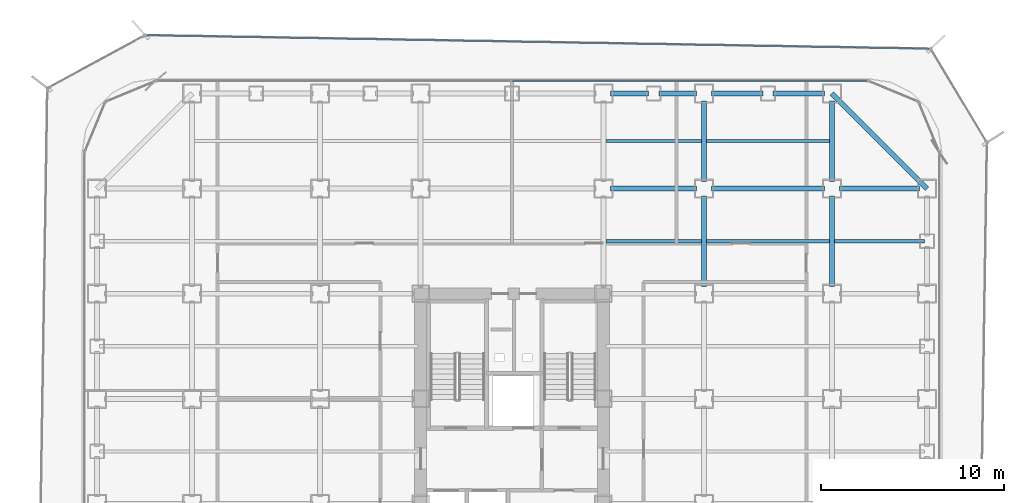
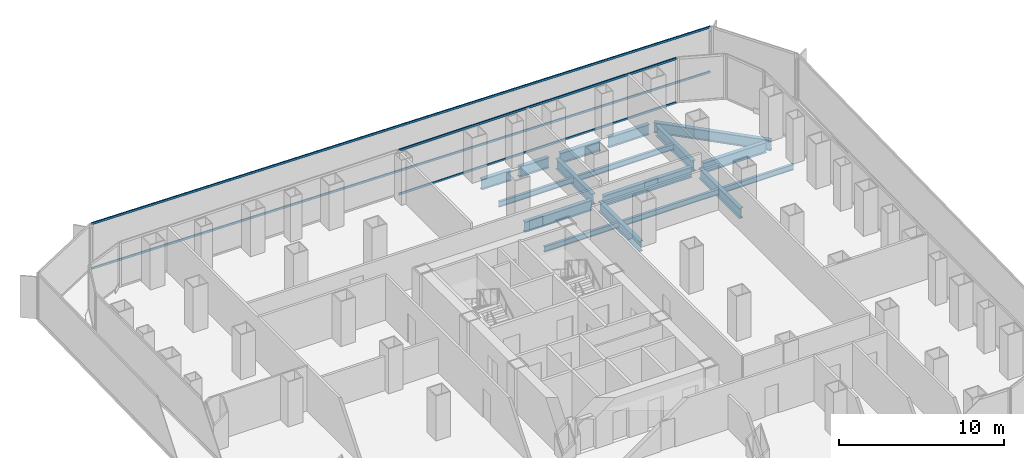
# One storey, part 14 of 21: 17 beams, 4 members, 2 elements without a shape of their own.
"""IFC4 building model written with IfcOpenShell, lengths in metres."""

import ifcopenshell
import ifcopenshell.guid

model = None  # the IFC model being written
_history = None  # IfcOwnerHistory: only IFC2X3 demands one
_inside = {}  # id of a spatial element -> (the spatial element, [elements in it])
_under = {}  # id of a project, library or spatial element -> (it, [spatial elements below it])
_declared = {}  # id of a project -> (the project, [libraries it declares])
_typed = {}  # id of a type object -> (the type object, [elements of that type])
_made_of = {}  # id of a material, layer set ... -> (it, [elements and type objects made of it])


def new_model(schema):
    """Start an empty IFC model of exactly this schema.

    Asked for "IFC4X3", IfcOpenShell would pick the latest addendum, in which some entities
    have other attributes; the version numbers below select the first issue.
    IFC2X3 requires an IfcOwnerHistory on every rooted entity: one is made here for all.
    """
    global model, _history
    if schema == "IFC4X3":
        model = ifcopenshell.file(schema_version=(4, 3, 0, 0))
    else:
        model = ifcopenshell.file(schema=schema)
    _inside.clear()
    _under.clear()
    _declared.clear()
    _typed.clear()
    _made_of.clear()
    _history = None
    if model.schema == "IFC2X3":
        org = make("IfcOrganization", Name="unknown")
        user = make(
            "IfcPersonAndOrganization",
            ThePerson=make("IfcPerson", FamilyName="unknown"),
            TheOrganization=org,
        )
        app = make(
            "IfcApplication",
            ApplicationDeveloper=org,
            Version="unknown",
            ApplicationFullName="unknown",
            ApplicationIdentifier="unknown",
        )
        _history = make(
            "IfcOwnerHistory",
            OwningUser=user,
            OwningApplication=app,
            ChangeAction="ADDED",
            CreationDate=0,
        )
    return model


def make(cls, **values):
    """One entity of the class cls with the attributes given. An attribute that is None is left unset."""
    return model.create_entity(
        cls, **{name: value for name, value in values.items() if value is not None}
    )


def rooted(cls, **values):
    """An entity with a GlobalId (a new one), such as an element, a storey or a relation."""
    return make(cls, GlobalId=ifcopenshell.guid.new(), OwnerHistory=_history, **values)


def si_unit(unit_type, name, prefix=None):
    """IfcSIUnit, for example si_unit("LENGTHUNIT", "METRE", prefix="MILLI")."""
    return make("IfcSIUnit", UnitType=unit_type, Prefix=prefix, Name=name)


def assignment(units):
    """IfcUnitAssignment: the units of a project."""
    return None if units is None else make("IfcUnitAssignment", Units=units)


def point(xyz):
    """IfcCartesianPoint."""
    return None if xyz is None else make("IfcCartesianPoint", Coordinates=xyz)


def direction(xyz):
    """IfcDirection."""
    return None if xyz is None else make("IfcDirection", DirectionRatios=xyz)


def frame(location, z_axis=None, x_axis=None):
    """IfcAxis2Placement3D, a coordinate frame: its origin and axes. An axis left out is left unset."""
    return make(
        "IfcAxis2Placement3D",
        Location=point(location),
        Axis=direction(z_axis),
        RefDirection=direction(x_axis),
    )


def frame_2d(location, x_axis=None):
    """IfcAxis2Placement2D, a coordinate frame in the plane: its origin and x axis."""
    return make(
        "IfcAxis2Placement2D", Location=point(location), RefDirection=direction(x_axis)
    )


def origin():
    """The frame at (0, 0, 0) with its axes left unset."""
    return frame((0.0, 0.0, 0.0))


def origin_2d():
    """The frame at (0, 0) in the plane with its x axis left unset."""
    return frame_2d((0.0, 0.0))


def place(relative_to, where):
    """IfcLocalPlacement: puts the frame where relative to a parent placement (None: the world)."""
    return make(
        "IfcLocalPlacement", PlacementRelTo=relative_to, RelativePlacement=where
    )


def context(
    kind, dimensions, precision=None, world=None, true_north=None, identifier=None
):
    """IfcGeometricRepresentationContext, for example the 3D "Model" context."""
    return make(
        "IfcGeometricRepresentationContext",
        ContextIdentifier=identifier,
        ContextType=kind,
        CoordinateSpaceDimension=dimensions,
        Precision=precision,
        WorldCoordinateSystem=world,
        TrueNorth=true_north,
    )


def subcontext(parent, identifier, kind, view, scale=None):
    """IfcGeometricRepresentationSubContext, for example "Body" below "Model"."""
    return make(
        "IfcGeometricRepresentationSubContext",
        ContextIdentifier=identifier,
        ContextType=kind,
        ParentContext=parent,
        TargetScale=scale,
        TargetView=view,
    )


def project(units=None, contexts=None):
    """IfcProject with its units and contexts."""
    return rooted(
        "IfcProject",
        Name="project",
        RepresentationContexts=contexts,
        UnitsInContext=assignment(units),
    )


def spatial(cls, under=None, at=None, **own):
    """A site, building, storey or space (cls), placed at a placement, below another one or the project."""
    s = rooted(cls, ObjectPlacement=at, **own)
    if under is not None:
        _under.setdefault(under.id(), (under, []))[1].append(s)
    return s


def profile(cls, at=None, kind="AREA", **sizes):
    """A parametric profile (cls). Its sizes go by their IFC names, for example OverallWidth=200.0."""
    return make(cls, ProfileType=kind, Position=at, **sizes)


def hollow_rectangle(**sizes):
    """IfcRectangleHollowProfileDef."""
    return profile("IfcRectangleHollowProfileDef", **sizes)


def i_section(**sizes):
    """IfcIShapeProfileDef."""
    return profile("IfcIShapeProfileDef", **sizes)


def extrude(swept, where, along, depth):
    """IfcExtrudedAreaSolid: the profile swept, set in the frame where, extruded along a direction by depth."""
    return make(
        "IfcExtrudedAreaSolid",
        SweptArea=swept,
        Position=where,
        ExtrudedDirection=direction(along),
        Depth=depth,
    )


def shape(context_of_items, identifier, shape_type, items):
    """IfcShapeRepresentation: the items that make up one representation, for example the "Body"."""
    return make(
        "IfcShapeRepresentation",
        ContextOfItems=context_of_items,
        RepresentationIdentifier=identifier,
        RepresentationType=shape_type,
        Items=items,
    )


def source(mapping_origin, context_of_items, identifier, shape_type, items):
    """IfcRepresentationMap: a shape defined once, which mapped items show again and again."""
    return make(
        "IfcRepresentationMap",
        MappingOrigin=mapping_origin,
        MappedRepresentation=shape(context_of_items, identifier, shape_type, items),
    )


def transform(
    local_origin,
    x_axis=None,
    y_axis=None,
    z_axis=None,
    scale=None,
    scale2=None,
    scale3=None,
    uniform=True,
):
    """IfcCartesianTransformationOperator3D, or its non-uniform kind. x_axis, y_axis, z_axis: its Axis1, 2, 3."""
    if uniform:
        return make(
            "IfcCartesianTransformationOperator3D",
            Axis1=direction(x_axis),
            Axis2=direction(y_axis),
            LocalOrigin=point(local_origin),
            Scale=scale,
            Axis3=direction(z_axis),
        )
    return make(
        "IfcCartesianTransformationOperator3DnonUniform",
        Axis1=direction(x_axis),
        Axis2=direction(y_axis),
        LocalOrigin=point(local_origin),
        Scale=scale,
        Axis3=direction(z_axis),
        Scale2=scale2,
        Scale3=scale3,
    )


def mapped(mapping_source, mapping_target):
    """IfcMappedItem: shows the shape of a source again, moved by a transform."""
    return make(
        "IfcMappedItem", MappingSource=mapping_source, MappingTarget=mapping_target
    )


def material(Name=None, Category=None):
    """IfcMaterial."""
    return make("IfcMaterial", Name=Name, Category=Category)


def layer(
    of_material, thickness, ventilated=None, Name=None, Category=None, Priority=None
):
    """IfcMaterialLayer: one layer of a wall or slab, of a material (None: an air gap)."""
    return make(
        "IfcMaterialLayer",
        Material=of_material,
        LayerThickness=thickness,
        IsVentilated=ventilated,
        Name=Name,
        Category=Category,
        Priority=Priority,
    )


def layer_set(layers, Name=None):
    """IfcMaterialLayerSet."""
    return make("IfcMaterialLayerSet", MaterialLayers=layers, LayerSetName=Name)


def material_profile(
    of_material, cross_section, Name=None, Category=None, Priority=None
):
    """IfcMaterialProfile: a cross section and its material."""
    return make(
        "IfcMaterialProfile",
        Name=Name,
        Material=of_material,
        Profile=cross_section,
        Priority=Priority,
        Category=Category,
    )


def profile_set(profiles, Name=None, composite=None):
    """IfcMaterialProfileSet."""
    return make(
        "IfcMaterialProfileSet",
        Name=Name,
        MaterialProfiles=profiles,
        CompositeProfile=composite,
    )


def made_of(thing, what):
    """Note that an element or type object is made of a material, layer set ...; save() writes the relation."""
    if what is not None:
        _made_of.setdefault(what.id(), (what, []))[1].append(thing)
    return thing


def type_object(cls, material=None, **own):
    """A type object (cls), such as IfcWallType, which elements share."""
    return made_of(rooted(cls, **own), material)


def element(
    cls,
    number,
    at=None,
    inside=None,
    cuts=None,
    type_object=None,
    material=None,
    context=None,
    identifier="Body",
    shape_type=None,
    held_by="IfcProductDefinitionShape",
    body=None,
    shapes=None,
    **own,
):
    """One element of the class cls, such as IfcWall. Its Tag is "e" and its number.

    at: its placement. inside: the storey or other place that contains it. cuts: it is an
    opening in that element (IfcRelVoidsElement). A single representation is given by context,
    identifier, shape_type and body (its items); several are given by shapes. held_by: the class
    of the entity that holds the representations. save() writes the other relations.
    """
    e = rooted(cls, Tag="e%d" % number, ObjectPlacement=at, **own)
    if body is not None:
        shapes = [shape(context, identifier, shape_type, body)]
    if shapes is not None:
        e.Representation = make(held_by, Representations=shapes)
    if inside is not None:
        _inside.setdefault(inside.id(), (inside, []))[1].append(e)
    if cuts is not None:
        rooted(
            "IfcRelVoidsElement", RelatingBuildingElement=cuts, RelatedOpeningElement=e
        )
    if type_object is not None:
        _typed.setdefault(type_object.id(), (type_object, []))[1].append(e)
    return made_of(e, material)


def aggregate(whole, parts):
    """IfcRelAggregates: a whole, such as a stair, and the parts it consists of."""
    return rooted("IfcRelAggregates", RelatingObject=whole, RelatedObjects=parts)


def save(model, path):
    """Write the relations noted so far, then the file.

    IfcRelAggregates (storeys below a building ...), IfcRelContainedInSpatialStructure (elements
    in a storey), IfcRelDefinesByType, IfcRelAssociatesMaterial and IfcRelDeclares: one each for
    every whole, place, type object, material and project.
    """
    for whole, parts in _under.values():
        aggregate(whole, parts)
    for where, things in _inside.values():
        rooted(
            "IfcRelContainedInSpatialStructure",
            RelatedElements=things,
            RelatingStructure=where,
        )
    for kind, things in _typed.values():
        rooted("IfcRelDefinesByType", RelatedObjects=things, RelatingType=kind)
    for what, things in _made_of.values():
        rooted("IfcRelAssociatesMaterial", RelatedObjects=things, RelatingMaterial=what)
    for by, libraries in _declared.values():
        rooted("IfcRelDeclares", RelatingContext=by, RelatedDefinitions=libraries)
    model.write(path)


model = new_model("IFC4")

# Units and contexts
model_context = context("Model", 3, precision=1e-05, world=origin(), true_north=direction((0.0, 1.0)))
body_context = subcontext(model_context, "Body", "Model", "MODEL_VIEW")
ifc_project = project(units=[si_unit("LENGTHUNIT", "METRE"), si_unit("AREAUNIT", "SQUARE_METRE"), si_unit("VOLUMEUNIT", "CUBIC_METRE"), si_unit("PLANEANGLEUNIT", "RADIAN"), si_unit("MASSUNIT", "GRAM", prefix="KILO")], contexts=[model_context])

# Site, building, storey
site_placement = place(None, origin())
site = spatial("IfcSite", under=ifc_project, at=site_placement, CompositionType="ELEMENT")
building_placement = place(site_placement, origin())
building = spatial("IfcBuilding", under=site, at=building_placement, Name="Kolveth Station Tower", CompositionType="ELEMENT")
storey_placement = place(building_placement, frame((0.0, 0.0, 36.89990234375)))
storey = spatial("IfcBuildingStorey", under=building, at=storey_placement, Name="L09", CompositionType="ELEMENT", Elevation=36.89990234375)

# Beams
ifc_material_1 = material(Name="Steel S355", Category="steel")
ifc_material_profile_1 = material_profile(ifc_material_1, i_section(OverallWidth=0.26904296875, OverallDepth=0.77490234375, WebThickness=0.01708984375, FlangeThickness=0.0283203125, at=origin_2d()), Name="W760x220")
ifc_profile_set_1 = profile_set([ifc_material_profile_1], Name="Steel S355")
beam_type_1 = type_object("IfcBeamType", Name="Beam_SP1", PredefinedType="SPANDREL", material=ifc_profile_set_1)
shared_shape_1 = source(origin(), body_context, "Body", "SweptSolid", [
    extrude(i_section(OverallWidth=0.26904296875, OverallDepth=0.77490234375, WebThickness=0.01708984375, FlangeThickness=0.0283203125, at=origin_2d()), origin(), (0.0, 0.0, 1.0), 7.353759765625),
])
beam_1_placement = place(storey_placement, frame((46.199951171875, 34.5, -0.66748046875), z_axis=(-0.707106781187, 0.707106781187, 0.0), x_axis=(-0.707106781187, -0.707106781187, 0.0)))
element("IfcBeam", 1, at=beam_1_placement, inside=storey, type_object=beam_type_1, Name="L09 Corner Edge Girder BM-L09-CNR-NE", PredefinedType="SPANDREL", context=body_context, shape_type="MappedRepresentation", body=[
    mapped(shared_shape_1, transform((0.0, 0.0, 0.0), x_axis=(1.0, 0.0, 0.0), y_axis=(0.0, 1.0, 0.0), z_axis=(0.0, 0.0, 1.0), scale=1.0)),
])
shared_shape_2 = source(origin(), body_context, "Body", "SweptSolid", [
    extrude(i_section(OverallWidth=0.26904296875, OverallDepth=0.77490234375, WebThickness=0.01708984375, FlangeThickness=0.0283203125, at=origin_2d()), origin(), (0.0, 0.0, 1.0), 2.820068359375),
])
for number, where, z_axis, x_axis, name in (
    (2, (34.39990234375, 39.699951171875, -0.66748046875), (1.0, 0.0, 0.0), (0.0, 1.0, 0.0), "L09 Perimeter Spandrel BM-L09-PN-9"),
    (3, (37.780029296875, 39.699951171875, -0.66748046875), (1.0, 0.0, 0.0), (0.0, 1.0, 0.0), "L09 Perimeter Spandrel BM-L09-PN-10"),
):
    element("IfcBeam", number, at=place(storey_placement, frame(where, z_axis=z_axis, x_axis=x_axis)), inside=storey, type_object=beam_type_1, Name=name, PredefinedType="SPANDREL", context=body_context, shape_type="MappedRepresentation", body=[
        mapped(shared_shape_2, transform((0.0, 0.0, 0.0), x_axis=(1.0, 0.0, 0.0), y_axis=(0.0, 1.0, 0.0), z_axis=(0.0, 0.0, 1.0), scale=1.0)),
    ])
shared_shape_3 = source(origin(), body_context, "Body", "SweptSolid", [
    extrude(i_section(OverallWidth=0.26904296875, OverallDepth=0.77490234375, WebThickness=0.01708984375, FlangeThickness=0.0283203125, at=origin_2d()), origin(), (0.0, 0.0, 1.0), 2.070068359375),
])
for number, where, z_axis, x_axis, name in (
    (4, (28.89990234375, 39.699951171875, -0.66748046875), (1.0, 0.0, 0.0), (0.0, 1.0, 0.0), "L09 Perimeter Spandrel BM-L09-PN-7"),
    (5, (31.530029296875, 39.699951171875, -0.66748046875), (1.0, 0.0, 0.0), (0.0, 1.0, 0.0), "L09 Perimeter Spandrel BM-L09-PN-8"),
):
    element("IfcBeam", number, at=place(storey_placement, frame(where, z_axis=z_axis, x_axis=x_axis)), inside=storey, type_object=beam_type_1, Name=name, PredefinedType="SPANDREL", context=body_context, shape_type="MappedRepresentation", body=[
        mapped(shared_shape_3, transform((0.0, 0.0, 0.0), x_axis=(1.0, 0.0, 0.0), y_axis=(0.0, 1.0, 0.0), z_axis=(0.0, 0.0, 1.0), scale=1.0)),
    ])
ifc_material_profile_2 = material_profile(ifc_material_1, i_section(OverallWidth=0.26708984375, OverallDepth=0.76611328125, WebThickness=0.014892578125, FlangeThickness=0.023681640625, at=origin_2d()), Name="W760x185")
ifc_profile_set_2 = profile_set([ifc_material_profile_2], Name="Steel S355")
beam_type_2 = type_object("IfcBeamType", Name="Beam_B3", PredefinedType="BEAM", material=ifc_profile_set_2)
shared_shape_4 = source(origin(), body_context, "Body", "SweptSolid", [
    extrude(i_section(OverallWidth=0.26708984375, OverallDepth=0.76611328125, WebThickness=0.014892578125, FlangeThickness=0.023681640625, at=origin_2d()), origin(), (0.0, 0.0, 1.0), 4.400146484375),
])
for number, where, z_axis, x_axis, name in (
    (6, (41.39990234375, 34.5, -0.662841796875), (1.0, 0.0, 0.0), (0.0, 1.0, 0.0), "L09 Primary Girder BM-L09-GY345-7"),
    (7, (34.0, 34.89990234375, -0.662841796875), (0.0, 1.0, 0.0), (-1.0, 0.0, 0.0), "L09 Primary Girder BM-L09-GX340-7"),
    (8, (41.0, 34.89990234375, -0.662841796875), (0.0, 1.0, 0.0), (-1.0, 0.0, 0.0), "L09 Primary Girder BM-L09-GX410-7"),
):
    element("IfcBeam", number, at=place(storey_placement, frame(where, z_axis=z_axis, x_axis=x_axis)), inside=storey, type_object=beam_type_2, Name=name, PredefinedType="BEAM", context=body_context, shape_type="MappedRepresentation", body=[
        mapped(shared_shape_4, transform((0.0, 0.0, 0.0), x_axis=(1.0, 0.0, 0.0), y_axis=(0.0, 1.0, 0.0), z_axis=(0.0, 0.0, 1.0), scale=1.0)),
    ])
shared_shape_5 = source(origin(), body_context, "Body", "SweptSolid", [
    extrude(i_section(OverallWidth=0.26708984375, OverallDepth=0.76611328125, WebThickness=0.014892578125, FlangeThickness=0.023681640625, at=origin_2d()), origin(), (0.0, 0.0, 1.0), 6.2001953125),
])
beam_2_placement = place(storey_placement, frame((34.39990234375, 34.5, -0.662841796875), z_axis=(1.0, 0.0, 0.0), x_axis=(0.0, 1.0, 0.0)))
element("IfcBeam", 9, at=beam_2_placement, inside=storey, type_object=beam_type_2, Name="L09 Primary Girder BM-L09-GY345-6", PredefinedType="BEAM", context=body_context, shape_type="MappedRepresentation", body=[
    mapped(shared_shape_5, transform((0.0, 0.0, 0.0), x_axis=(1.0, 0.0, 0.0), y_axis=(0.0, 1.0, 0.0), z_axis=(0.0, 0.0, 1.0), scale=1.0)),
])
shared_shape_6 = source(origin(), body_context, "Body", "SweptSolid", [
    extrude(i_section(OverallWidth=0.26708984375, OverallDepth=0.76611328125, WebThickness=0.014892578125, FlangeThickness=0.023681640625, at=origin_2d()), origin(), (0.0, 0.0, 1.0), 4.7001953125),
])
beam_3_placement = place(storey_placement, frame((28.89990234375, 34.5, -0.662841796875), z_axis=(1.0, 0.0, 0.0), x_axis=(0.0, 1.0, 0.0)))
element("IfcBeam", 10, at=beam_3_placement, inside=storey, type_object=beam_type_2, Name="L09 Primary Girder BM-L09-GY345-5", PredefinedType="BEAM", context=body_context, shape_type="MappedRepresentation", body=[
    mapped(shared_shape_6, transform((0.0, 0.0, 0.0), x_axis=(1.0, 0.0, 0.0), y_axis=(0.0, 1.0, 0.0), z_axis=(0.0, 0.0, 1.0), scale=1.0)),
])
shared_shape_7 = source(origin(), body_context, "Body", "SweptSolid", [
    extrude(i_section(OverallWidth=0.26708984375, OverallDepth=0.76611328125, WebThickness=0.014892578125, FlangeThickness=0.023681640625, at=origin_2d()), origin(), (0.0, 0.0, 1.0), 4.9501953125),
])
for number, where, z_axis, x_axis, name in (
    (11, (34.0, 29.14990234375, -0.662841796875), (0.0, 1.0, 0.0), (-1.0, 0.0, 0.0), "L09 Primary Girder BM-L09-GX340-6"),
    (12, (41.0, 29.14990234375, -0.662841796875), (0.0, 1.0, 0.0), (-1.0, 0.0, 0.0), "L09 Primary Girder BM-L09-GX410-6"),
):
    element("IfcBeam", number, at=place(storey_placement, frame(where, z_axis=z_axis, x_axis=x_axis)), inside=storey, type_object=beam_type_2, Name=name, PredefinedType="BEAM", context=body_context, shape_type="MappedRepresentation", body=[
        mapped(shared_shape_7, transform((0.0, 0.0, 0.0), x_axis=(1.0, 0.0, 0.0), y_axis=(0.0, 1.0, 0.0), z_axis=(0.0, 0.0, 1.0), scale=1.0)),
    ])
ifc_material_profile_3 = material_profile(ifc_material_1, i_section(OverallWidth=0.177978515625, OverallDepth=0.406982421875, WebThickness=0.0078125, FlangeThickness=0.0126953125, at=origin_2d()), Name="W410x60")
ifc_profile_set_3 = profile_set([ifc_material_profile_3], Name="Steel S355")
beam_type_3 = type_object("IfcBeamType", Name="Beam_J1", PredefinedType="JOIST", material=ifc_profile_set_3)
shared_shape_8 = source(origin(), body_context, "Body", "SweptSolid", [
    extrude(i_section(OverallWidth=0.177978515625, OverallDepth=0.406982421875, WebThickness=0.0078125, FlangeThickness=0.0126953125, at=origin_2d()), origin(), (0.0, 0.0, 1.0), 4.935791015625),
])
beam_4_placement = place(storey_placement, frame((41.131591796875, 31.625, -0.4833984375), z_axis=(1.0, 0.0, 0.0), x_axis=(0.0, 1.0, 0.0)))
element("IfcBeam", 13, at=beam_4_placement, inside=storey, type_object=beam_type_3, Name="L09 Secondary Joist JST-L09-7-6", PredefinedType="JOIST", context=body_context, shape_type="MappedRepresentation", body=[
    mapped(shared_shape_8, transform((0.0, 0.0, 0.0), x_axis=(1.0, 0.0, 0.0), y_axis=(0.0, 1.0, 0.0), z_axis=(0.0, 0.0, 1.0), scale=1.0)),
])
shared_shape_9 = source(origin(), body_context, "Body", "SweptSolid", [
    extrude(i_section(OverallWidth=0.177978515625, OverallDepth=0.406982421875, WebThickness=0.0078125, FlangeThickness=0.0126953125, at=origin_2d()), origin(), (0.0, 0.0, 1.0), 6.73681640625),
])
for number, where, z_axis, x_axis, name in (
    (14, (34.131591796875, 31.625, -0.4833984375), (1.0, 0.0, 0.0), (0.0, 1.0, 0.0), "L09 Secondary Joist JST-L09-6-6"),
    (15, (34.131591796875, 37.10009765625, -0.4833984375), (1.0, 0.0, 0.0), (0.0, 1.0, 0.0), "L09 Secondary Joist JST-L09-6-7"),
):
    element("IfcBeam", number, at=place(storey_placement, frame(where, z_axis=z_axis, x_axis=x_axis)), inside=storey, type_object=beam_type_3, Name=name, PredefinedType="JOIST", context=body_context, shape_type="MappedRepresentation", body=[
        mapped(shared_shape_9, transform((0.0, 0.0, 0.0), x_axis=(1.0, 0.0, 0.0), y_axis=(0.0, 1.0, 0.0), z_axis=(0.0, 0.0, 1.0), scale=1.0)),
    ])
shared_shape_10 = source(origin(), body_context, "Body", "SweptSolid", [
    extrude(i_section(OverallWidth=0.177978515625, OverallDepth=0.406982421875, WebThickness=0.0078125, FlangeThickness=0.0126953125, at=origin_2d()), origin(), (0.0, 0.0, 1.0), 5.23681640625),
])
for number, where, z_axis, x_axis, name in (
    (16, (28.631591796875, 31.625, -0.4833984375), (1.0, 0.0, 0.0), (0.0, 1.0, 0.0), "L09 Secondary Joist JST-L09-5-6"),
    (17, (28.631591796875, 37.10009765625, -0.4833984375), (1.0, 0.0, 0.0), (0.0, 1.0, 0.0), "L09 Secondary Joist JST-L09-5-7"),
):
    element("IfcBeam", number, at=place(storey_placement, frame(where, z_axis=z_axis, x_axis=x_axis)), inside=storey, type_object=beam_type_3, Name=name, PredefinedType="JOIST", context=body_context, shape_type="MappedRepresentation", body=[
        mapped(shared_shape_10, transform((0.0, 0.0, 0.0), x_axis=(1.0, 0.0, 0.0), y_axis=(0.0, 1.0, 0.0), z_axis=(0.0, 0.0, 1.0), scale=1.0)),
    ])

# Curtain wall, members
ifc_material_2 = material(Name="Aluminium 6063-T6 and low-E dark glass", Category="aluminium")
ifc_layer_1 = layer(ifc_material_2, 0.179931640625)
ifc_layer_set_1 = layer_set([ifc_layer_1], Name="Aluminium 6063-T6 and low-E dark glass")
curtain_wall_type_1 = type_object("IfcCurtainWallType", Name="CurtainWall_CW-Z1", PredefinedType="NOTDEFINED", material=ifc_layer_set_1)
curtain_wall_1_placement = place(storey_placement, origin())
curtain_wall_1 = element("IfcCurtainWall", 18, at=curtain_wall_1_placement, inside=storey, type_object=curtain_wall_type_1, Name="L09 Inner Thermal Curtain Wall 6", PredefinedType="NOTDEFINED")
ifc_material_3 = material(Name="Black anodized aluminium 6063-T6", Category="aluminium")
ifc_material_profile_4 = material_profile(ifc_material_3, hollow_rectangle(XDim=0.074951171875, YDim=0.159912109375, WallThickness=0.0048828125, at=origin_2d()), Name="ALU-75x160x5")
ifc_profile_set_4 = profile_set([ifc_material_profile_4], Name="Black anodized aluminium 6063-T6")
member_type_1 = type_object("IfcMemberType", Name="Transom_TR1", PredefinedType="USERDEFINED", material=ifc_profile_set_4)
shared_shape_11 = source(origin(), body_context, "Body", "SweptSolid", [
    extrude(hollow_rectangle(XDim=0.074951171875, YDim=0.159912109375, WallThickness=0.0048828125, at=origin_2d()), origin(), (0.0, 0.0, 1.0), 19.387451171875),
])
member_1_placement = place(storey_placement, frame((42.925048828125, 40.3798828125, 0.03759765625), z_axis=(-1.0, 0.0, 0.0), x_axis=(0.0, -1.0, 0.0)))
member_1 = element("IfcMember", 19, at=member_1_placement, type_object=member_type_1, Name="CW-Z1 transom 1.1", ObjectType="TRANSOM", PredefinedType="USERDEFINED", context=body_context, shape_type="MappedRepresentation", body=[
    mapped(shared_shape_11, transform((0.0, 0.0, 0.0), x_axis=(1.0, 0.0, 0.0), y_axis=(0.0, 1.0, 0.0), z_axis=(0.0, 0.0, 1.0), scale=1.0)),
])
member_2_placement = place(storey_placement, frame((42.925048828125, 40.3798828125, 3.28271484375), z_axis=(-1.0, 0.0, 0.0), x_axis=(0.0, -1.0, 0.0)))
member_2 = element("IfcMember", 20, at=member_2_placement, type_object=member_type_1, Name="CW-Z1 transom 1.2", ObjectType="TRANSOM", PredefinedType="USERDEFINED", context=body_context, shape_type="MappedRepresentation", body=[
    mapped(shared_shape_11, transform((0.0, 0.0, 0.0), x_axis=(1.0, 0.0, 0.0), y_axis=(0.0, 1.0, 0.0), z_axis=(0.0, 0.0, 1.0), scale=1.0)),
])
aggregate(curtain_wall_1, [member_1, member_2])

ifc_material_4 = material(Name="Black anodized aluminium 6063-T6 and dark solar glass", Category="aluminium")
ifc_layer_2 = layer(ifc_material_4, 0.159912109375)
ifc_layer_set_2 = layer_set([ifc_layer_2], Name="Black anodized aluminium 6063-T6 and dark solar glass")
curtain_wall_type_2 = type_object("IfcCurtainWallType", Name="OUTER SKIN CW-OS", PredefinedType="NOTDEFINED", material=ifc_layer_set_2)
curtain_wall_2_placement = place(storey_placement, origin())
curtain_wall_2 = element("IfcCurtainWall", 21, at=curtain_wall_2_placement, inside=storey, type_object=curtain_wall_type_2, Name="L09 Outer Ventilated Skin Curtain Wall 4", PredefinedType="NOTDEFINED")
ifc_material_profile_5 = material_profile(ifc_material_3, hollow_rectangle(XDim=0.080078125, YDim=0.14990234375, WallThickness=0.0048828125, at=origin_2d()), Name="ALU-80x150x5")
ifc_profile_set_5 = profile_set([ifc_material_profile_5], Name="Black anodized aluminium 6063-T6")
member_type_2 = type_object("IfcMemberType", Name="Transom_TR-OS", PredefinedType="USERDEFINED", material=ifc_profile_set_5)
shared_shape_12 = source(origin(), body_context, "Body", "SweptSolid", [
    extrude(hollow_rectangle(XDim=0.080078125, YDim=0.14990234375, WallThickness=0.0048828125, at=origin_2d()), origin(), (0.0, 0.0, 1.0), 42.80078125),
])
member_3_placement = place(storey_placement, frame((46.31591796875, 42.148193359375, 0.0400390625), z_axis=(-0.999851220811, 0.017249238911, 0.0), x_axis=(-0.017249238911, -0.999851220811, 0.0)))
member_3 = element("IfcMember", 22, at=member_3_placement, type_object=member_type_2, Name="CW-OS transom 1.1", ObjectType="TRANSOM", PredefinedType="USERDEFINED", context=body_context, shape_type="MappedRepresentation", body=[
    mapped(shared_shape_12, transform((0.0, 0.0, 0.0), x_axis=(1.0, 0.0, 0.0), y_axis=(0.0, 1.0, 0.0), z_axis=(0.0, 0.0, 1.0), scale=1.0)),
])
member_4_placement = place(storey_placement, frame((46.31591796875, 42.148193359375, 3.35009765625), z_axis=(-0.999851220811, 0.017249238911, 0.0), x_axis=(-0.017249238911, -0.999851220811, 0.0)))
member_4 = element("IfcMember", 23, at=member_4_placement, type_object=member_type_2, Name="CW-OS transom 1.2", ObjectType="TRANSOM", PredefinedType="USERDEFINED", context=body_context, shape_type="MappedRepresentation", body=[
    mapped(shared_shape_12, transform((0.0, 0.0, 0.0), x_axis=(1.0, 0.0, 0.0), y_axis=(0.0, 1.0, 0.0), z_axis=(0.0, 0.0, 1.0), scale=1.0)),
])
aggregate(curtain_wall_2, [member_3, member_4])

save(model, "model.ifc")
